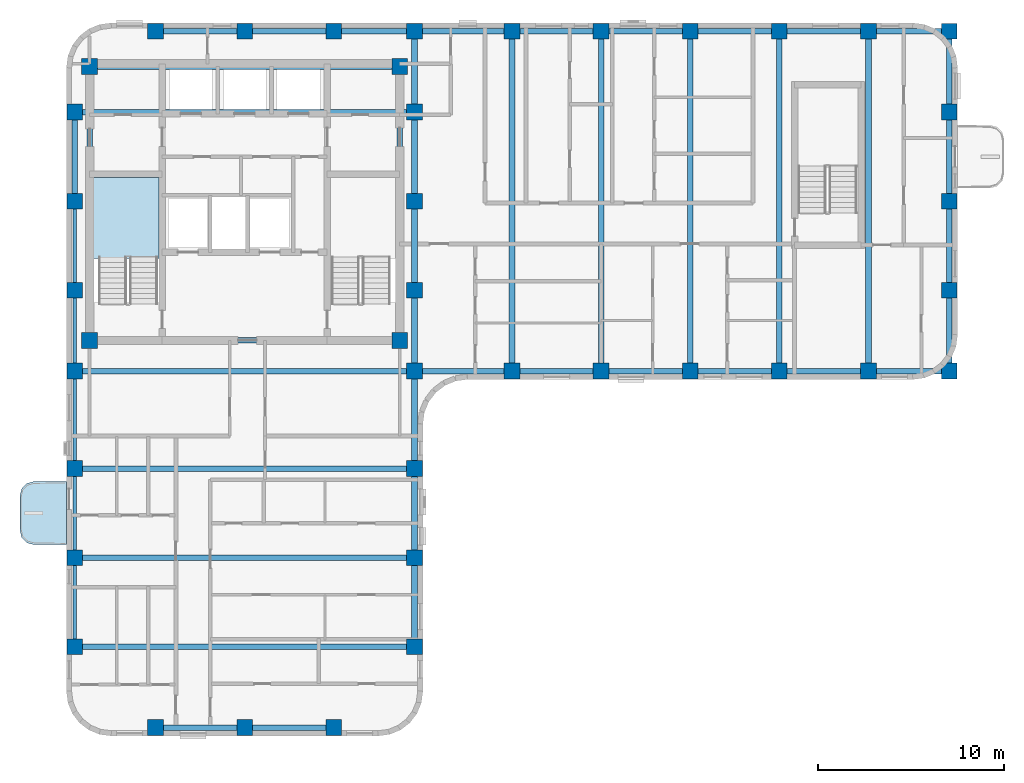
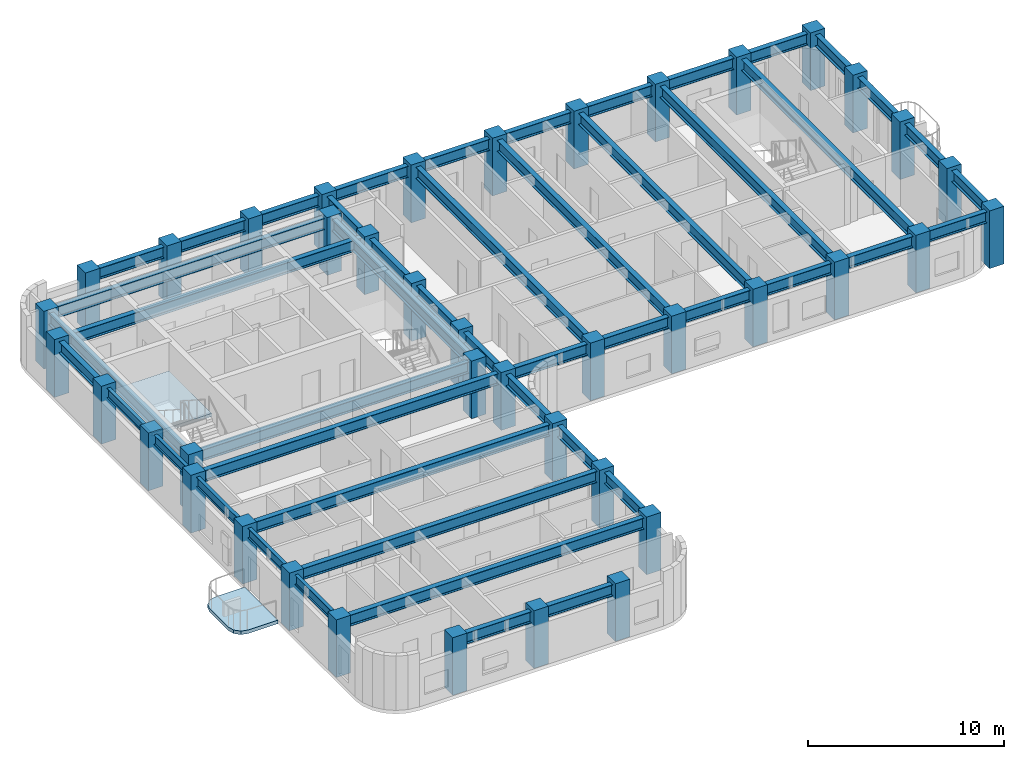
# One storey, part 1 of 10: 48 beams, 40 columns, 2 slabs, 1 element without a shape of its own.
"""IFC4 building model written with IfcOpenShell, lengths in metres."""

from ifc_helpers import new_model, si_unit, direction, frame, origin, origin_2d, place, context, subcontext, project, spatial, polyline, rectangle, i_section, outline, extrude, material, layer, layer_set, material_profile, profile_set, type_object, element, aggregate, save


model = new_model("IFC4")

# Units and contexts
model_context = context("Model", 3, precision=1e-05, world=origin(), true_north=direction((0.0, 1.0)))
body_context = subcontext(model_context, "Body", "Model", "MODEL_VIEW")
ifc_project = project(units=[si_unit("LENGTHUNIT", "METRE"), si_unit("AREAUNIT", "SQUARE_METRE"), si_unit("VOLUMEUNIT", "CUBIC_METRE"), si_unit("PLANEANGLEUNIT", "RADIAN"), si_unit("MASSUNIT", "GRAM", prefix="KILO")], contexts=[model_context])

# Site, building, storey
site_placement = place(None, origin())
site = spatial("IfcSite", under=ifc_project, at=site_placement, CompositionType="ELEMENT")
building_placement = place(site_placement, origin())
building = spatial("IfcBuilding", under=site, at=building_placement, Name="Orvandelia Arch Residences", CompositionType="ELEMENT")
storey_placement = place(building_placement, frame((0.0, 0.0, 221.800048828125)))
storey = spatial("IfcBuildingStorey", under=building, at=storey_placement, Name="L58", CompositionType="ELEMENT", Elevation=221.800048828125)

# Columns
ifc_material_1 = material(Name="Concrete C60/75", Category="concrete")
ifc_material_profile_1 = material_profile(ifc_material_1, rectangle(XDim=0.85009765625, YDim=0.85009765625, at=origin_2d()), Name="Concrete C60/75", Category="concrete")
ifc_profile_set_1 = profile_set([ifc_material_profile_1], Name="Concrete C60/75")
column_type = type_object("IfcColumnType", Name="COL-TWR-850", PredefinedType="COLUMN", material=ifc_profile_set_1)
for number, where, z_axis, x_axis, name in (
    (1, (5.25, 14.39990234375, 0.0), (0.0, 0.0, 1.0), (1.0, 0.0, 0.0), "Structural Column L58-W-W-144"),
    (2, (5.25, 19.199951171875, 0.0), (0.0, 0.0, 1.0), (1.0, 0.0, 0.0), "Structural Column L58-W-W-192"),
    (3, (5.25, 24.0, 0.0), (0.0, 0.0, 1.0), (1.0, 0.0, 0.0), "Structural Column L58-W-W-240"),
    (4, (5.25, 29.25, 0.0), (0.0, 0.0, 1.0), (1.0, 0.0, 0.0), "Structural Column L58-W-W-292"),
    (5, (5.25, 33.60009765625, 0.0), (0.0, 0.0, 1.0), (1.0, 0.0, 0.0), "Structural Column L58-W-W-336"),
    (6, (5.25, 38.39990234375, 0.0), (0.0, 0.0, 1.0), (1.0, 0.0, 0.0), "Structural Column L58-W-W-384"),
    (7, (5.25, 43.199951171875, 0.0), (0.0, 0.0, 1.0), (1.0, 0.0, 0.0), "Structural Column L58-W-W-432"),
    (8, (6.050048828125, 30.89990234375, 0.0), (0.0, 0.0, 1.0), (1.0, 0.0, 0.0), "Structural Column L58-CR-SW"),
    (9, (6.050048828125, 45.64990234375, 0.0), (0.0, 0.0, 1.0), (1.0, 0.0, 0.0), "Structural Column L58-CR-NW"),
    (10, (9.60009765625, 10.050048828125, 0.0), (0.0, 0.0, 1.0), (1.0, 0.0, 0.0), "Structural Column L58-W-S-96"),
    (11, (9.60009765625, 47.550048828125, 0.0), (0.0, 0.0, 1.0), (1.0, 0.0, 0.0), "Structural Column L58-W-N-96"),
    (12, (14.39990234375, 10.050048828125, 0.0), (0.0, 0.0, 1.0), (1.0, 0.0, 0.0), "Structural Column L58-W-S-144"),
    (13, (14.39990234375, 47.550048828125, 0.0), (0.0, 0.0, 1.0), (1.0, 0.0, 0.0), "Structural Column L58-W-N-144"),
    (14, (19.199951171875, 10.050048828125, 0.0), (0.0, 0.0, 1.0), (1.0, 0.0, 0.0), "Structural Column L58-W-S-192"),
    (15, (19.199951171875, 47.550048828125, 0.0), (0.0, 0.0, 1.0), (1.0, 0.0, 0.0), "Structural Column L58-W-N-192"),
    (16, (22.75, 30.89990234375, 0.0), (0.0, 0.0, 1.0), (1.0, 0.0, 0.0), "Structural Column L58-CR-SE"),
    (17, (22.75, 45.64990234375, 0.0), (0.0, 0.0, 1.0), (1.0, 0.0, 0.0), "Structural Column L58-CR-NE"),
    (18, (23.550048828125, 14.39990234375, 0.0), (0.0, 0.0, 1.0), (1.0, 0.0, 0.0), "Structural Column L58-W-E-144"),
    (19, (23.550048828125, 19.199951171875, 0.0), (0.0, 0.0, 1.0), (1.0, 0.0, 0.0), "Structural Column L58-W-E-192"),
    (20, (23.550048828125, 24.0, 0.0), (0.0, 0.0, 1.0), (1.0, 0.0, 0.0), "Structural Column L58-W-E-240"),
    (21, (23.550048828125, 29.25, 0.0), (0.0, 0.0, 1.0), (1.0, 0.0, 0.0), "Structural Column L58-W-E-292"),
    (22, (23.550048828125, 33.60009765625, 0.0), (0.0, 0.0, 1.0), (1.0, 0.0, 0.0), "Structural Column L58-W-E-336"),
    (23, (23.550048828125, 38.39990234375, 0.0), (0.0, 0.0, 1.0), (1.0, 0.0, 0.0), "Structural Column L58-W-E-384"),
    (24, (23.550048828125, 43.199951171875, 0.0), (0.0, 0.0, 1.0), (1.0, 0.0, 0.0), "Structural Column L58-W-E-432"),
    (25, (23.550048828125, 47.550048828125, 0.0), (0.0, 0.0, 1.0), (1.0, 0.0, 0.0), "Structural Column L58-W-N-235"),
    (26, (28.800048828125, 29.25, 0.0), (0.0, 0.0, 1.0), (1.0, 0.0, 0.0), "Structural Column L58-E-S-288"),
    (27, (28.800048828125, 47.550048828125, 0.0), (0.0, 0.0, 1.0), (1.0, 0.0, 0.0), "Structural Column L58-E-N-288"),
    (28, (33.60009765625, 29.25, 0.0), (0.0, 0.0, 1.0), (1.0, 0.0, 0.0), "Structural Column L58-E-S-336"),
    (29, (33.60009765625, 47.550048828125, 0.0), (0.0, 0.0, 1.0), (1.0, 0.0, 0.0), "Structural Column L58-E-N-336"),
    (30, (38.39990234375, 29.25, 0.0), (0.0, 0.0, 1.0), (1.0, 0.0, 0.0), "Structural Column L58-E-S-384"),
    (31, (38.39990234375, 47.550048828125, 0.0), (0.0, 0.0, 1.0), (1.0, 0.0, 0.0), "Structural Column L58-E-N-384"),
    (32, (43.199951171875, 29.25, 0.0), (0.0, 0.0, 1.0), (1.0, 0.0, 0.0), "Structural Column L58-E-S-432"),
    (33, (43.199951171875, 47.550048828125, 0.0), (0.0, 0.0, 1.0), (1.0, 0.0, 0.0), "Structural Column L58-E-N-432"),
    (34, (48.0, 29.25, 0.0), (0.0, 0.0, 1.0), (1.0, 0.0, 0.0), "Structural Column L58-E-S-480"),
    (35, (48.0, 47.550048828125, 0.0), (0.0, 0.0, 1.0), (1.0, 0.0, 0.0), "Structural Column L58-E-N-480"),
    (36, (52.35009765625, 29.25, 0.0), (0.0, 0.0, 1.0), (1.0, 0.0, 0.0), "Structural Column L58-E-S-523"),
    (37, (52.35009765625, 33.60009765625, 0.0), (0.0, 0.0, 1.0), (1.0, 0.0, 0.0), "Structural Column L58-E-523-336"),
    (38, (52.35009765625, 38.39990234375, 0.0), (0.0, 0.0, 1.0), (1.0, 0.0, 0.0), "Structural Column L58-E-523-384"),
    (39, (52.35009765625, 43.199951171875, 0.0), (0.0, 0.0, 1.0), (1.0, 0.0, 0.0), "Structural Column L58-E-523-432"),
    (40, (52.35009765625, 47.550048828125, 0.0), (0.0, 0.0, 1.0), (1.0, 0.0, 0.0), "Structural Column L58-E-N-523"),
):
    element("IfcColumn", number, at=place(storey_placement, frame(where, z_axis=z_axis, x_axis=x_axis)), inside=storey, type_object=column_type, Name=name, PredefinedType="COLUMN", context=body_context, shape_type="SweptSolid", body=[
        extrude(rectangle(XDim=0.85009765625, YDim=0.85009765625, at=origin_2d()), origin(), (0.0, 0.0, 1.0), 3.599853515625),
    ])

# Beams
ifc_material_2 = material(Name="Structural Steel SM355 (355 MPa)", Category="steel")
ifc_material_profile_2 = material_profile(ifc_material_2, i_section(OverallWidth=0.300048828125, OverallDepth=0.699951171875, WebThickness=0.012939453125, FlangeThickness=0.02392578125, FilletRadius=0.02392578125, at=origin_2d()), Name="Structural Steel SM355 (355 MPa)", Category="steel")
ifc_profile_set_2 = profile_set([ifc_material_profile_2], Name="Structural Steel SM355 (355 MPa)")
beam_type_1 = type_object("IfcBeamType", Name="BM-GRD-H700", PredefinedType="BEAM", material=ifc_profile_set_2)
beam_1_placement = place(storey_placement, frame((5.25, 38.39990234375, 3.030029296875), z_axis=(0.0, 1.0, 0.0), x_axis=(-1.0, 0.0, 0.0)))
element("IfcBeam", 41, at=beam_1_placement, inside=storey, type_object=beam_type_1, Name="Structural Frame Beam L58-NS-006", PredefinedType="BEAM", context=body_context, shape_type="SweptSolid", body=[
    extrude(i_section(OverallWidth=0.300048828125, OverallDepth=0.699951171875, WebThickness=0.012939453125, FlangeThickness=0.02392578125, FilletRadius=0.02392578125, at=origin_2d()), origin(), (0.0, 0.0, 1.0), 4.800048828125),
])
for number, where, z_axis, x_axis, name in (
    (42, (6.050048828125, 30.89990234375, 3.030029296875), (0.0, 1.0, 0.0), (-1.0, 0.0, 0.0), "Structural Frame Beam L58-NS-007"),
    (43, (22.75, 30.89990234375, 3.030029296875), (0.0, 1.0, 0.0), (-1.0, 0.0, 0.0), "Structural Frame Beam L58-NS-008"),
):
    element("IfcBeam", number, at=place(storey_placement, frame(where, z_axis=z_axis, x_axis=x_axis)), inside=storey, type_object=beam_type_1, Name=name, PredefinedType="BEAM", context=body_context, shape_type="SweptSolid", body=[
        extrude(i_section(OverallWidth=0.300048828125, OverallDepth=0.699951171875, WebThickness=0.012939453125, FlangeThickness=0.02392578125, FilletRadius=0.02392578125, at=origin_2d()), origin(), (0.0, 0.0, 1.0), 14.75),
    ])
for number, where, z_axis, x_axis, name in (
    (44, (23.550048828125, 14.39990234375, 3.030029296875), (0.0, 1.0, 0.0), (-1.0, 0.0, 0.0), "Structural Frame Beam L58-NS-009"),
    (45, (23.550048828125, 19.199951171875, 3.030029296875), (0.0, 1.0, 0.0), (-1.0, 0.0, 0.0), "Structural Frame Beam L58-NS-010"),
):
    element("IfcBeam", number, at=place(storey_placement, frame(where, z_axis=z_axis, x_axis=x_axis)), inside=storey, type_object=beam_type_1, Name=name, PredefinedType="BEAM", context=body_context, shape_type="SweptSolid", body=[
        extrude(i_section(OverallWidth=0.300048828125, OverallDepth=0.699951171875, WebThickness=0.012939453125, FlangeThickness=0.02392578125, FilletRadius=0.02392578125, at=origin_2d()), origin(), (0.0, 0.0, 1.0), 4.800048828125),
    ])
beam_2_placement = place(storey_placement, frame((23.550048828125, 24.0, 3.030029296875), z_axis=(0.0, 1.0, 0.0), x_axis=(-1.0, 0.0, 0.0)))
element("IfcBeam", 46, at=beam_2_placement, inside=storey, type_object=beam_type_1, Name="Structural Frame Beam L58-NS-011", PredefinedType="BEAM", context=body_context, shape_type="SweptSolid", body=[
    extrude(i_section(OverallWidth=0.300048828125, OverallDepth=0.699951171875, WebThickness=0.012939453125, FlangeThickness=0.02392578125, FilletRadius=0.02392578125, at=origin_2d()), origin(), (0.0, 0.0, 1.0), 5.25),
])
beam_3_placement = place(storey_placement, frame((23.550048828125, 29.25, 3.030029296875), z_axis=(0.0, 1.0, 0.0), x_axis=(-1.0, 0.0, 0.0)))
element("IfcBeam", 47, at=beam_3_placement, inside=storey, type_object=beam_type_1, Name="Structural Frame Beam L58-NS-012", PredefinedType="BEAM", context=body_context, shape_type="SweptSolid", body=[
    extrude(i_section(OverallWidth=0.300048828125, OverallDepth=0.699951171875, WebThickness=0.012939453125, FlangeThickness=0.02392578125, FilletRadius=0.02392578125, at=origin_2d()), origin(), (0.0, 0.0, 1.0), 4.35009765625),
])
beam_4_placement = place(storey_placement, frame((23.550048828125, 33.60009765625, 3.030029296875), z_axis=(0.0, 1.0, 0.0), x_axis=(-1.0, 0.0, 0.0)))
element("IfcBeam", 48, at=beam_4_placement, inside=storey, type_object=beam_type_1, Name="Structural Frame Beam L58-NS-013", PredefinedType="BEAM", context=body_context, shape_type="SweptSolid", body=[
    extrude(i_section(OverallWidth=0.300048828125, OverallDepth=0.699951171875, WebThickness=0.012939453125, FlangeThickness=0.02392578125, FilletRadius=0.02392578125, at=origin_2d()), origin(), (0.0, 0.0, 1.0), 4.7998046875),
])
beam_5_placement = place(storey_placement, frame((23.550048828125, 38.39990234375, 3.030029296875), z_axis=(0.0, 1.0, 0.0), x_axis=(-1.0, 0.0, 0.0)))
element("IfcBeam", 49, at=beam_5_placement, inside=storey, type_object=beam_type_1, Name="Structural Frame Beam L58-NS-014", PredefinedType="BEAM", context=body_context, shape_type="SweptSolid", body=[
    extrude(i_section(OverallWidth=0.300048828125, OverallDepth=0.699951171875, WebThickness=0.012939453125, FlangeThickness=0.02392578125, FilletRadius=0.02392578125, at=origin_2d()), origin(), (0.0, 0.0, 1.0), 4.800048828125),
])
beam_6_placement = place(storey_placement, frame((23.550048828125, 43.199951171875, 3.030029296875), z_axis=(0.0, 1.0, 0.0), x_axis=(-1.0, 0.0, 0.0)))
element("IfcBeam", 50, at=beam_6_placement, inside=storey, type_object=beam_type_1, Name="Structural Frame Beam L58-NS-015", PredefinedType="BEAM", context=body_context, shape_type="SweptSolid", body=[
    extrude(i_section(OverallWidth=0.300048828125, OverallDepth=0.699951171875, WebThickness=0.012939453125, FlangeThickness=0.02392578125, FilletRadius=0.02392578125, at=origin_2d()), origin(), (0.0, 0.0, 1.0), 4.35009765625),
])
for number, where, z_axis, x_axis, name in (
    (51, (28.800048828125, 29.25, 3.030029296875), (0.0, 1.0, 0.0), (-1.0, 0.0, 0.0), "Structural Frame Beam L58-NS-016"),
    (52, (33.60009765625, 29.25, 3.030029296875), (0.0, 1.0, 0.0), (-1.0, 0.0, 0.0), "Structural Frame Beam L58-NS-017"),
    (53, (38.39990234375, 29.25, 3.030029296875), (0.0, 1.0, 0.0), (-1.0, 0.0, 0.0), "Structural Frame Beam L58-NS-018"),
    (54, (43.199951171875, 29.25, 3.030029296875), (0.0, 1.0, 0.0), (-1.0, 0.0, 0.0), "Structural Frame Beam L58-NS-019"),
    (55, (48.0, 29.25, 3.030029296875), (0.0, 1.0, 0.0), (-1.0, 0.0, 0.0), "Structural Frame Beam L58-NS-020"),
):
    element("IfcBeam", number, at=place(storey_placement, frame(where, z_axis=z_axis, x_axis=x_axis)), inside=storey, type_object=beam_type_1, Name=name, PredefinedType="BEAM", context=body_context, shape_type="SweptSolid", body=[
        extrude(i_section(OverallWidth=0.300048828125, OverallDepth=0.699951171875, WebThickness=0.012939453125, FlangeThickness=0.02392578125, FilletRadius=0.02392578125, at=origin_2d()), origin(), (0.0, 0.0, 1.0), 18.300048828125),
    ])
beam_7_placement = place(storey_placement, frame((52.35009765625, 29.25, 3.030029296875), z_axis=(0.0, 1.0, 0.0), x_axis=(-1.0, 0.0, 0.0)))
element("IfcBeam", 56, at=beam_7_placement, inside=storey, type_object=beam_type_1, Name="Structural Frame Beam L58-NS-021", PredefinedType="BEAM", context=body_context, shape_type="SweptSolid", body=[
    extrude(i_section(OverallWidth=0.300048828125, OverallDepth=0.699951171875, WebThickness=0.012939453125, FlangeThickness=0.02392578125, FilletRadius=0.02392578125, at=origin_2d()), origin(), (0.0, 0.0, 1.0), 4.35009765625),
])
beam_8_placement = place(storey_placement, frame((52.35009765625, 33.60009765625, 3.030029296875), z_axis=(0.0, 1.0, 0.0), x_axis=(-1.0, 0.0, 0.0)))
element("IfcBeam", 57, at=beam_8_placement, inside=storey, type_object=beam_type_1, Name="Structural Frame Beam L58-NS-022", PredefinedType="BEAM", context=body_context, shape_type="SweptSolid", body=[
    extrude(i_section(OverallWidth=0.300048828125, OverallDepth=0.699951171875, WebThickness=0.012939453125, FlangeThickness=0.02392578125, FilletRadius=0.02392578125, at=origin_2d()), origin(), (0.0, 0.0, 1.0), 4.7998046875),
])
beam_9_placement = place(storey_placement, frame((52.35009765625, 38.39990234375, 3.030029296875), z_axis=(0.0, 1.0, 0.0), x_axis=(-1.0, 0.0, 0.0)))
element("IfcBeam", 58, at=beam_9_placement, inside=storey, type_object=beam_type_1, Name="Structural Frame Beam L58-NS-023", PredefinedType="BEAM", context=body_context, shape_type="SweptSolid", body=[
    extrude(i_section(OverallWidth=0.300048828125, OverallDepth=0.699951171875, WebThickness=0.012939453125, FlangeThickness=0.02392578125, FilletRadius=0.02392578125, at=origin_2d()), origin(), (0.0, 0.0, 1.0), 4.800048828125),
])
beam_10_placement = place(storey_placement, frame((52.35009765625, 43.199951171875, 3.030029296875), z_axis=(0.0, 1.0, 0.0), x_axis=(-1.0, 0.0, 0.0)))
element("IfcBeam", 59, at=beam_10_placement, inside=storey, type_object=beam_type_1, Name="Structural Frame Beam L58-NS-024", PredefinedType="BEAM", context=body_context, shape_type="SweptSolid", body=[
    extrude(i_section(OverallWidth=0.300048828125, OverallDepth=0.699951171875, WebThickness=0.012939453125, FlangeThickness=0.02392578125, FilletRadius=0.02392578125, at=origin_2d()), origin(), (0.0, 0.0, 1.0), 4.35009765625),
])
beam_11_placement = place(storey_placement, frame((9.60009765625, 10.050048828125, 3.030029296875), z_axis=(1.0, 0.0, 0.0), x_axis=(0.0, 1.0, 0.0)))
element("IfcBeam", 60, at=beam_11_placement, inside=storey, type_object=beam_type_1, Name="Structural Frame Girder L58-EW-025", PredefinedType="BEAM", context=body_context, shape_type="SweptSolid", body=[
    extrude(i_section(OverallWidth=0.300048828125, OverallDepth=0.699951171875, WebThickness=0.012939453125, FlangeThickness=0.02392578125, FilletRadius=0.02392578125, at=origin_2d()), origin(), (0.0, 0.0, 1.0), 4.7998046875),
])
beam_12_placement = place(storey_placement, frame((14.39990234375, 10.050048828125, 3.030029296875), z_axis=(1.0, 0.0, 0.0), x_axis=(0.0, 1.0, 0.0)))
element("IfcBeam", 61, at=beam_12_placement, inside=storey, type_object=beam_type_1, Name="Structural Frame Girder L58-EW-026", PredefinedType="BEAM", context=body_context, shape_type="SweptSolid", body=[
    extrude(i_section(OverallWidth=0.300048828125, OverallDepth=0.699951171875, WebThickness=0.012939453125, FlangeThickness=0.02392578125, FilletRadius=0.02392578125, at=origin_2d()), origin(), (0.0, 0.0, 1.0), 4.800048828125),
])
for number, where, z_axis, x_axis, name in (
    (62, (5.25, 14.39990234375, 3.030029296875), (1.0, 0.0, 0.0), (0.0, 1.0, 0.0), "Structural Frame Girder L58-EW-027"),
    (63, (5.25, 19.199951171875, 3.030029296875), (1.0, 0.0, 0.0), (0.0, 1.0, 0.0), "Structural Frame Girder L58-EW-028"),
    (64, (5.25, 24.0, 3.030029296875), (1.0, 0.0, 0.0), (0.0, 1.0, 0.0), "Structural Frame Girder L58-EW-029"),
    (65, (5.25, 29.25, 3.030029296875), (1.0, 0.0, 0.0), (0.0, 1.0, 0.0), "Structural Frame Girder L58-EW-030"),
):
    element("IfcBeam", number, at=place(storey_placement, frame(where, z_axis=z_axis, x_axis=x_axis)), inside=storey, type_object=beam_type_1, Name=name, PredefinedType="BEAM", context=body_context, shape_type="SweptSolid", body=[
        extrude(i_section(OverallWidth=0.300048828125, OverallDepth=0.699951171875, WebThickness=0.012939453125, FlangeThickness=0.02392578125, FilletRadius=0.02392578125, at=origin_2d()), origin(), (0.0, 0.0, 1.0), 18.300048828125),
    ])
beam_13_placement = place(storey_placement, frame((23.550048828125, 29.25, 3.030029296875), z_axis=(1.0, 0.0, 0.0), x_axis=(0.0, 1.0, 0.0)))
element("IfcBeam", 66, at=beam_13_placement, inside=storey, type_object=beam_type_1, Name="Structural Frame Girder L58-EW-031", PredefinedType="BEAM", context=body_context, shape_type="SweptSolid", body=[
    extrude(i_section(OverallWidth=0.300048828125, OverallDepth=0.699951171875, WebThickness=0.012939453125, FlangeThickness=0.02392578125, FilletRadius=0.02392578125, at=origin_2d()), origin(), (0.0, 0.0, 1.0), 5.25),
])
beam_14_placement = place(storey_placement, frame((28.800048828125, 29.25, 3.030029296875), z_axis=(1.0, 0.0, 0.0), x_axis=(0.0, 1.0, 0.0)))
element("IfcBeam", 67, at=beam_14_placement, inside=storey, type_object=beam_type_1, Name="Structural Frame Girder L58-EW-032", PredefinedType="BEAM", context=body_context, shape_type="SweptSolid", body=[
    extrude(i_section(OverallWidth=0.300048828125, OverallDepth=0.699951171875, WebThickness=0.012939453125, FlangeThickness=0.02392578125, FilletRadius=0.02392578125, at=origin_2d()), origin(), (0.0, 0.0, 1.0), 4.800048828125),
])
beam_15_placement = place(storey_placement, frame((33.60009765625, 29.25, 3.030029296875), z_axis=(1.0, 0.0, 0.0), x_axis=(0.0, 1.0, 0.0)))
element("IfcBeam", 68, at=beam_15_placement, inside=storey, type_object=beam_type_1, Name="Structural Frame Girder L58-EW-033", PredefinedType="BEAM", context=body_context, shape_type="SweptSolid", body=[
    extrude(i_section(OverallWidth=0.300048828125, OverallDepth=0.699951171875, WebThickness=0.012939453125, FlangeThickness=0.02392578125, FilletRadius=0.02392578125, at=origin_2d()), origin(), (0.0, 0.0, 1.0), 4.7998046875),
])
for number, where, z_axis, x_axis, name in (
    (69, (38.39990234375, 29.25, 3.030029296875), (1.0, 0.0, 0.0), (0.0, 1.0, 0.0), "Structural Frame Girder L58-EW-034"),
    (70, (43.199951171875, 29.25, 3.030029296875), (1.0, 0.0, 0.0), (0.0, 1.0, 0.0), "Structural Frame Girder L58-EW-035"),
):
    element("IfcBeam", number, at=place(storey_placement, frame(where, z_axis=z_axis, x_axis=x_axis)), inside=storey, type_object=beam_type_1, Name=name, PredefinedType="BEAM", context=body_context, shape_type="SweptSolid", body=[
        extrude(i_section(OverallWidth=0.300048828125, OverallDepth=0.699951171875, WebThickness=0.012939453125, FlangeThickness=0.02392578125, FilletRadius=0.02392578125, at=origin_2d()), origin(), (0.0, 0.0, 1.0), 4.800048828125),
    ])
beam_16_placement = place(storey_placement, frame((48.0, 29.25, 3.030029296875), z_axis=(1.0, 0.0, 0.0), x_axis=(0.0, 1.0, 0.0)))
element("IfcBeam", 71, at=beam_16_placement, inside=storey, type_object=beam_type_1, Name="Structural Frame Girder L58-EW-036", PredefinedType="BEAM", context=body_context, shape_type="SweptSolid", body=[
    extrude(i_section(OverallWidth=0.300048828125, OverallDepth=0.699951171875, WebThickness=0.012939453125, FlangeThickness=0.02392578125, FilletRadius=0.02392578125, at=origin_2d()), origin(), (0.0, 0.0, 1.0), 4.35009765625),
])
beam_17_placement = place(storey_placement, frame((6.050048828125, 30.89990234375, 3.030029296875), z_axis=(1.0, 0.0, 0.0), x_axis=(0.0, 1.0, 0.0)))
element("IfcBeam", 72, at=beam_17_placement, inside=storey, type_object=beam_type_1, Name="Structural Frame Girder L58-EW-037", PredefinedType="BEAM", context=body_context, shape_type="SweptSolid", body=[
    extrude(i_section(OverallWidth=0.300048828125, OverallDepth=0.699951171875, WebThickness=0.012939453125, FlangeThickness=0.02392578125, FilletRadius=0.02392578125, at=origin_2d()), origin(), (0.0, 0.0, 1.0), 16.699951171875),
])
beam_18_placement = place(storey_placement, frame((5.25, 43.199951171875, 3.030029296875), z_axis=(1.0, 0.0, 0.0), x_axis=(0.0, 1.0, 0.0)))
element("IfcBeam", 73, at=beam_18_placement, inside=storey, type_object=beam_type_1, Name="Structural Frame Girder L58-EW-040", PredefinedType="BEAM", context=body_context, shape_type="SweptSolid", body=[
    extrude(i_section(OverallWidth=0.300048828125, OverallDepth=0.699951171875, WebThickness=0.012939453125, FlangeThickness=0.02392578125, FilletRadius=0.02392578125, at=origin_2d()), origin(), (0.0, 0.0, 1.0), 18.300048828125),
])
beam_19_placement = place(storey_placement, frame((6.050048828125, 45.64990234375, 3.030029296875), z_axis=(1.0, 0.0, 0.0), x_axis=(0.0, 1.0, 0.0)))
element("IfcBeam", 74, at=beam_19_placement, inside=storey, type_object=beam_type_1, Name="Structural Frame Girder L58-EW-041", PredefinedType="BEAM", context=body_context, shape_type="SweptSolid", body=[
    extrude(i_section(OverallWidth=0.300048828125, OverallDepth=0.699951171875, WebThickness=0.012939453125, FlangeThickness=0.02392578125, FilletRadius=0.02392578125, at=origin_2d()), origin(), (0.0, 0.0, 1.0), 16.699951171875),
])
beam_20_placement = place(storey_placement, frame((9.60009765625, 47.550048828125, 3.030029296875), z_axis=(1.0, 0.0, 0.0), x_axis=(0.0, 1.0, 0.0)))
element("IfcBeam", 75, at=beam_20_placement, inside=storey, type_object=beam_type_1, Name="Structural Frame Girder L58-EW-042", PredefinedType="BEAM", context=body_context, shape_type="SweptSolid", body=[
    extrude(i_section(OverallWidth=0.300048828125, OverallDepth=0.699951171875, WebThickness=0.012939453125, FlangeThickness=0.02392578125, FilletRadius=0.02392578125, at=origin_2d()), origin(), (0.0, 0.0, 1.0), 4.7998046875),
])
beam_21_placement = place(storey_placement, frame((14.39990234375, 47.550048828125, 3.030029296875), z_axis=(1.0, 0.0, 0.0), x_axis=(0.0, 1.0, 0.0)))
element("IfcBeam", 76, at=beam_21_placement, inside=storey, type_object=beam_type_1, Name="Structural Frame Girder L58-EW-043", PredefinedType="BEAM", context=body_context, shape_type="SweptSolid", body=[
    extrude(i_section(OverallWidth=0.300048828125, OverallDepth=0.699951171875, WebThickness=0.012939453125, FlangeThickness=0.02392578125, FilletRadius=0.02392578125, at=origin_2d()), origin(), (0.0, 0.0, 1.0), 4.800048828125),
])
beam_22_placement = place(storey_placement, frame((19.199951171875, 47.550048828125, 3.030029296875), z_axis=(1.0, 0.0, 0.0), x_axis=(0.0, 1.0, 0.0)))
element("IfcBeam", 77, at=beam_22_placement, inside=storey, type_object=beam_type_1, Name="Structural Frame Girder L58-EW-044", PredefinedType="BEAM", context=body_context, shape_type="SweptSolid", body=[
    extrude(i_section(OverallWidth=0.300048828125, OverallDepth=0.699951171875, WebThickness=0.012939453125, FlangeThickness=0.02392578125, FilletRadius=0.02392578125, at=origin_2d()), origin(), (0.0, 0.0, 1.0), 4.35009765625),
])
beam_23_placement = place(storey_placement, frame((23.550048828125, 47.550048828125, 3.030029296875), z_axis=(1.0, 0.0, 0.0), x_axis=(0.0, 1.0, 0.0)))
element("IfcBeam", 78, at=beam_23_placement, inside=storey, type_object=beam_type_1, Name="Structural Frame Girder L58-EW-045", PredefinedType="BEAM", context=body_context, shape_type="SweptSolid", body=[
    extrude(i_section(OverallWidth=0.300048828125, OverallDepth=0.699951171875, WebThickness=0.012939453125, FlangeThickness=0.02392578125, FilletRadius=0.02392578125, at=origin_2d()), origin(), (0.0, 0.0, 1.0), 5.25),
])
beam_24_placement = place(storey_placement, frame((28.800048828125, 47.550048828125, 3.030029296875), z_axis=(1.0, 0.0, 0.0), x_axis=(0.0, 1.0, 0.0)))
element("IfcBeam", 79, at=beam_24_placement, inside=storey, type_object=beam_type_1, Name="Structural Frame Girder L58-EW-046", PredefinedType="BEAM", context=body_context, shape_type="SweptSolid", body=[
    extrude(i_section(OverallWidth=0.300048828125, OverallDepth=0.699951171875, WebThickness=0.012939453125, FlangeThickness=0.02392578125, FilletRadius=0.02392578125, at=origin_2d()), origin(), (0.0, 0.0, 1.0), 4.800048828125),
])
beam_25_placement = place(storey_placement, frame((33.60009765625, 47.550048828125, 3.030029296875), z_axis=(1.0, 0.0, 0.0), x_axis=(0.0, 1.0, 0.0)))
element("IfcBeam", 80, at=beam_25_placement, inside=storey, type_object=beam_type_1, Name="Structural Frame Girder L58-EW-047", PredefinedType="BEAM", context=body_context, shape_type="SweptSolid", body=[
    extrude(i_section(OverallWidth=0.300048828125, OverallDepth=0.699951171875, WebThickness=0.012939453125, FlangeThickness=0.02392578125, FilletRadius=0.02392578125, at=origin_2d()), origin(), (0.0, 0.0, 1.0), 4.7998046875),
])
for number, where, z_axis, x_axis, name in (
    (81, (38.39990234375, 47.550048828125, 3.030029296875), (1.0, 0.0, 0.0), (0.0, 1.0, 0.0), "Structural Frame Girder L58-EW-048"),
    (82, (43.199951171875, 47.550048828125, 3.030029296875), (1.0, 0.0, 0.0), (0.0, 1.0, 0.0), "Structural Frame Girder L58-EW-049"),
):
    element("IfcBeam", number, at=place(storey_placement, frame(where, z_axis=z_axis, x_axis=x_axis)), inside=storey, type_object=beam_type_1, Name=name, PredefinedType="BEAM", context=body_context, shape_type="SweptSolid", body=[
        extrude(i_section(OverallWidth=0.300048828125, OverallDepth=0.699951171875, WebThickness=0.012939453125, FlangeThickness=0.02392578125, FilletRadius=0.02392578125, at=origin_2d()), origin(), (0.0, 0.0, 1.0), 4.800048828125),
    ])
beam_26_placement = place(storey_placement, frame((48.0, 47.550048828125, 3.030029296875), z_axis=(1.0, 0.0, 0.0), x_axis=(0.0, 1.0, 0.0)))
element("IfcBeam", 83, at=beam_26_placement, inside=storey, type_object=beam_type_1, Name="Structural Frame Girder L58-EW-050", PredefinedType="BEAM", context=body_context, shape_type="SweptSolid", body=[
    extrude(i_section(OverallWidth=0.300048828125, OverallDepth=0.699951171875, WebThickness=0.012939453125, FlangeThickness=0.02392578125, FilletRadius=0.02392578125, at=origin_2d()), origin(), (0.0, 0.0, 1.0), 4.35009765625),
])
ifc_material_profile_3 = material_profile(ifc_material_2, i_section(OverallWidth=0.199951171875, OverallDepth=0.60009765625, WebThickness=0.010986328125, FlangeThickness=0.01708984375, FilletRadius=0.02197265625, at=origin_2d()), Name="Structural Steel SM355 (355 MPa)", Category="steel")
ifc_profile_set_3 = profile_set([ifc_material_profile_3], Name="Structural Steel SM355 (355 MPa)")
beam_type_2 = type_object("IfcBeamType", Name="BM-SPN-H600", PredefinedType="SPANDREL", material=ifc_profile_set_3)
for number, where, z_axis, x_axis, name in (
    (84, (5.25, 14.39990234375, 3.079833984375), (0.0, 1.0, 0.0), (-1.0, 0.0, 0.0), "Structural Frame Beam L58-NS-001"),
    (85, (5.25, 19.199951171875, 3.079833984375), (0.0, 1.0, 0.0), (-1.0, 0.0, 0.0), "Structural Frame Beam L58-NS-002"),
):
    element("IfcBeam", number, at=place(storey_placement, frame(where, z_axis=z_axis, x_axis=x_axis)), inside=storey, type_object=beam_type_2, Name=name, PredefinedType="SPANDREL", context=body_context, shape_type="SweptSolid", body=[
        extrude(i_section(OverallWidth=0.199951171875, OverallDepth=0.60009765625, WebThickness=0.010986328125, FlangeThickness=0.01708984375, FilletRadius=0.02197265625, at=origin_2d()), origin(), (0.0, 0.0, 1.0), 4.800048828125),
    ])
beam_27_placement = place(storey_placement, frame((5.25, 24.0, 3.079833984375), z_axis=(0.0, 1.0, 0.0), x_axis=(-1.0, 0.0, 0.0)))
element("IfcBeam", 86, at=beam_27_placement, inside=storey, type_object=beam_type_2, Name="Structural Frame Beam L58-NS-003", PredefinedType="SPANDREL", context=body_context, shape_type="SweptSolid", body=[
    extrude(i_section(OverallWidth=0.199951171875, OverallDepth=0.60009765625, WebThickness=0.010986328125, FlangeThickness=0.01708984375, FilletRadius=0.02197265625, at=origin_2d()), origin(), (0.0, 0.0, 1.0), 5.25),
])
beam_28_placement = place(storey_placement, frame((5.25, 29.25, 3.079833984375), z_axis=(0.0, 1.0, 0.0), x_axis=(-1.0, 0.0, 0.0)))
element("IfcBeam", 87, at=beam_28_placement, inside=storey, type_object=beam_type_2, Name="Structural Frame Beam L58-NS-004", PredefinedType="SPANDREL", context=body_context, shape_type="SweptSolid", body=[
    extrude(i_section(OverallWidth=0.199951171875, OverallDepth=0.60009765625, WebThickness=0.010986328125, FlangeThickness=0.01708984375, FilletRadius=0.02197265625, at=origin_2d()), origin(), (0.0, 0.0, 1.0), 4.35009765625),
])
beam_29_placement = place(storey_placement, frame((5.25, 33.60009765625, 3.079833984375), z_axis=(0.0, 1.0, 0.0), x_axis=(-1.0, 0.0, 0.0)))
element("IfcBeam", 88, at=beam_29_placement, inside=storey, type_object=beam_type_2, Name="Structural Frame Beam L58-NS-005", PredefinedType="SPANDREL", context=body_context, shape_type="SweptSolid", body=[
    extrude(i_section(OverallWidth=0.199951171875, OverallDepth=0.60009765625, WebThickness=0.010986328125, FlangeThickness=0.01708984375, FilletRadius=0.02197265625, at=origin_2d()), origin(), (0.0, 0.0, 1.0), 4.7998046875),
])

# Slab
ifc_material_3 = material(Name="Precast concrete C40/50", Category="concrete")
ifc_layer_1 = layer(ifc_material_3, 0.219970703125, Name="Precast concrete C40/50", Category="concrete")
ifc_layer_set_1 = layer_set([ifc_layer_1], Name="Precast concrete C40/50")
slab_type_1 = type_object("IfcSlabType", Name="SLB-BAL-220", PredefinedType="USERDEFINED", material=ifc_layer_set_1)
slab_1_placement = place(storey_placement, frame((0.0, 0.0, -0.219970703125)))
element("IfcSlab", 89, at=slab_1_placement, inside=storey, type_object=slab_type_1, Name="Tree Balcony Cantilever Slab BAL-L58-W1", ObjectType="BALCONY", PredefinedType="USERDEFINED", context=body_context, shape_type="SweptSolid", body=[
    extrude(outline(polyline([(4.800048828125, 19.89990234375), (4.800048828125, 23.300048828125), (3.050048828125, 23.300048828125), (2.675048828125, 23.199462890625), (2.400390625, 22.925048828125), (2.300048828125, 22.550048828125), (2.300048828125, 20.64990234375), (2.400390625, 20.27490234375), (2.675048828125, 20.00048828125), (3.050048828125, 19.89990234375), (4.800048828125, 19.89990234375)])), origin(), (0.0, 0.0, 1.0), 0.219970703125),
])

# Stair, slab
ifc_material_4 = material(Name="Concrete C40/50", Category="concrete")
stair_type = type_object("IfcStairType", Name="STAIR-RC-DOGLEG", PredefinedType="HALF_TURN_STAIR", material=ifc_material_4)
stair_placement = place(storey_placement, origin())
stair = element("IfcStair", 90, at=stair_placement, inside=storey, type_object=stair_type, Name="L58 Protected Exit Stair ST-1", PredefinedType="HALF_TURN_STAIR")
ifc_layer_2 = layer(ifc_material_4, 0.219970703125, Name="Concrete C40/50", Category="concrete")
ifc_layer_set_2 = layer_set([ifc_layer_2], Name="Concrete C40/50")
slab_type_2 = type_object("IfcSlabType", Name="SLB-LANDING-220", PredefinedType="LANDING", material=ifc_layer_set_2)
slab_2_placement = place(storey_placement, frame((0.0, 0.0, 1.599853515625)))
slab_2 = element("IfcSlab", 91, at=slab_2_placement, type_object=slab_type_2, Name="ST-1 landing 1", PredefinedType="LANDING", context=body_context, shape_type="SweptSolid", body=[
    extrude(outline(polyline([(9.800048828125, 35.31005859375), (9.800048828125, 39.68994140625), (6.260009765625, 39.68994140625), (6.260009765625, 35.31005859375), (9.800048828125, 35.31005859375)])), origin(), (0.0, 0.0, 1.0), 0.2001953125),
])
aggregate(stair, [slab_2])

save(model, "model.ifc")
